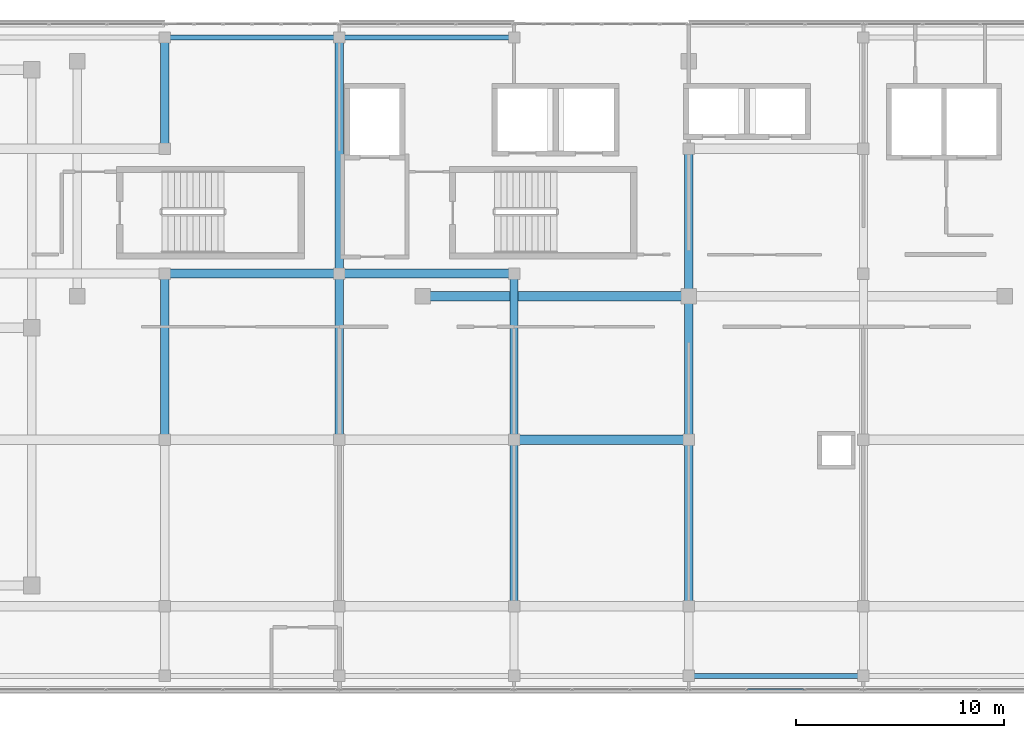
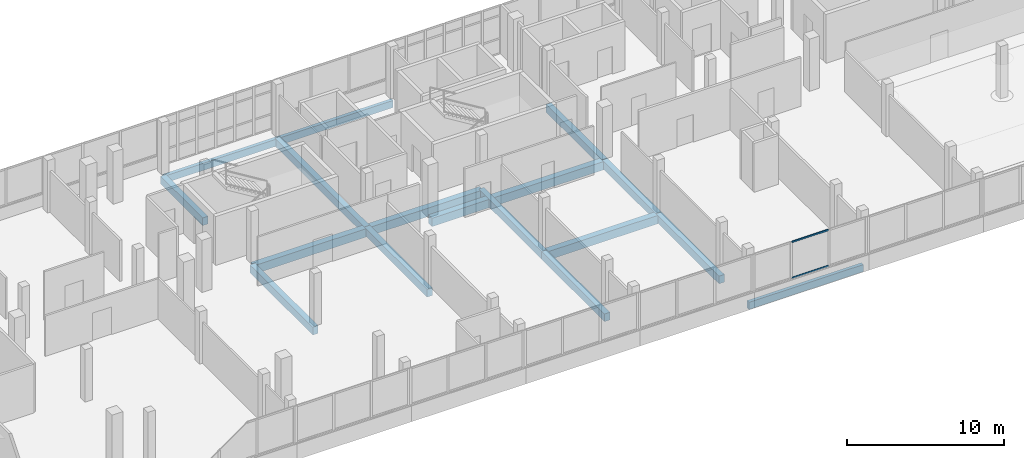
# One storey, part 26 of 66: 16 beams, 2 members, 1 element without a shape of its own.
"""IFC4 building model written with IfcOpenShell, lengths in metres."""

import ifcopenshell
import ifcopenshell.guid

model = None  # the IFC model being written
_history = None  # IfcOwnerHistory: only IFC2X3 demands one
_inside = {}  # id of a spatial element -> (the spatial element, [elements in it])
_under = {}  # id of a project, library or spatial element -> (it, [spatial elements below it])
_declared = {}  # id of a project -> (the project, [libraries it declares])
_typed = {}  # id of a type object -> (the type object, [elements of that type])
_made_of = {}  # id of a material, layer set ... -> (it, [elements and type objects made of it])


def new_model(schema):
    """Start an empty IFC model of exactly this schema.

    Asked for "IFC4X3", IfcOpenShell would pick the latest addendum, in which some entities
    have other attributes; the version numbers below select the first issue.
    IFC2X3 requires an IfcOwnerHistory on every rooted entity: one is made here for all.
    """
    global model, _history
    if schema == "IFC4X3":
        model = ifcopenshell.file(schema_version=(4, 3, 0, 0))
    else:
        model = ifcopenshell.file(schema=schema)
    _inside.clear()
    _under.clear()
    _declared.clear()
    _typed.clear()
    _made_of.clear()
    _history = None
    if model.schema == "IFC2X3":
        org = make("IfcOrganization", Name="unknown")
        user = make(
            "IfcPersonAndOrganization",
            ThePerson=make("IfcPerson", FamilyName="unknown"),
            TheOrganization=org,
        )
        app = make(
            "IfcApplication",
            ApplicationDeveloper=org,
            Version="unknown",
            ApplicationFullName="unknown",
            ApplicationIdentifier="unknown",
        )
        _history = make(
            "IfcOwnerHistory",
            OwningUser=user,
            OwningApplication=app,
            ChangeAction="ADDED",
            CreationDate=0,
        )
    return model


def make(cls, **values):
    """One entity of the class cls with the attributes given. An attribute that is None is left unset."""
    return model.create_entity(
        cls, **{name: value for name, value in values.items() if value is not None}
    )


def rooted(cls, **values):
    """An entity with a GlobalId (a new one), such as an element, a storey or a relation."""
    return make(cls, GlobalId=ifcopenshell.guid.new(), OwnerHistory=_history, **values)


def si_unit(unit_type, name, prefix=None):
    """IfcSIUnit, for example si_unit("LENGTHUNIT", "METRE", prefix="MILLI")."""
    return make("IfcSIUnit", UnitType=unit_type, Prefix=prefix, Name=name)


def assignment(units):
    """IfcUnitAssignment: the units of a project."""
    return None if units is None else make("IfcUnitAssignment", Units=units)


def point(xyz):
    """IfcCartesianPoint."""
    return None if xyz is None else make("IfcCartesianPoint", Coordinates=xyz)


def direction(xyz):
    """IfcDirection."""
    return None if xyz is None else make("IfcDirection", DirectionRatios=xyz)


def frame(location, z_axis=None, x_axis=None):
    """IfcAxis2Placement3D, a coordinate frame: its origin and axes. An axis left out is left unset."""
    return make(
        "IfcAxis2Placement3D",
        Location=point(location),
        Axis=direction(z_axis),
        RefDirection=direction(x_axis),
    )


def frame_2d(location, x_axis=None):
    """IfcAxis2Placement2D, a coordinate frame in the plane: its origin and x axis."""
    return make(
        "IfcAxis2Placement2D", Location=point(location), RefDirection=direction(x_axis)
    )


def origin():
    """The frame at (0, 0, 0) with its axes left unset."""
    return frame((0.0, 0.0, 0.0))


def origin_2d():
    """The frame at (0, 0) in the plane with its x axis left unset."""
    return frame_2d((0.0, 0.0))


def place(relative_to, where):
    """IfcLocalPlacement: puts the frame where relative to a parent placement (None: the world)."""
    return make(
        "IfcLocalPlacement", PlacementRelTo=relative_to, RelativePlacement=where
    )


def context(
    kind, dimensions, precision=None, world=None, true_north=None, identifier=None
):
    """IfcGeometricRepresentationContext, for example the 3D "Model" context."""
    return make(
        "IfcGeometricRepresentationContext",
        ContextIdentifier=identifier,
        ContextType=kind,
        CoordinateSpaceDimension=dimensions,
        Precision=precision,
        WorldCoordinateSystem=world,
        TrueNorth=true_north,
    )


def subcontext(parent, identifier, kind, view, scale=None):
    """IfcGeometricRepresentationSubContext, for example "Body" below "Model"."""
    return make(
        "IfcGeometricRepresentationSubContext",
        ContextIdentifier=identifier,
        ContextType=kind,
        ParentContext=parent,
        TargetScale=scale,
        TargetView=view,
    )


def project(units=None, contexts=None):
    """IfcProject with its units and contexts."""
    return rooted(
        "IfcProject",
        Name="project",
        RepresentationContexts=contexts,
        UnitsInContext=assignment(units),
    )


def spatial(cls, under=None, at=None, **own):
    """A site, building, storey or space (cls), placed at a placement, below another one or the project."""
    s = rooted(cls, ObjectPlacement=at, **own)
    if under is not None:
        _under.setdefault(under.id(), (under, []))[1].append(s)
    return s


def profile(cls, at=None, kind="AREA", **sizes):
    """A parametric profile (cls). Its sizes go by their IFC names, for example OverallWidth=200.0."""
    return make(cls, ProfileType=kind, Position=at, **sizes)


def rectangle(**sizes):
    """IfcRectangleProfileDef."""
    return profile("IfcRectangleProfileDef", **sizes)


def hollow_rectangle(**sizes):
    """IfcRectangleHollowProfileDef."""
    return profile("IfcRectangleHollowProfileDef", **sizes)


def extrude(swept, where, along, depth):
    """IfcExtrudedAreaSolid: the profile swept, set in the frame where, extruded along a direction by depth."""
    return make(
        "IfcExtrudedAreaSolid",
        SweptArea=swept,
        Position=where,
        ExtrudedDirection=direction(along),
        Depth=depth,
    )


def shape(context_of_items, identifier, shape_type, items):
    """IfcShapeRepresentation: the items that make up one representation, for example the "Body"."""
    return make(
        "IfcShapeRepresentation",
        ContextOfItems=context_of_items,
        RepresentationIdentifier=identifier,
        RepresentationType=shape_type,
        Items=items,
    )


def material(Name=None, Category=None):
    """IfcMaterial."""
    return make("IfcMaterial", Name=Name, Category=Category)


def material_profile(
    of_material, cross_section, Name=None, Category=None, Priority=None
):
    """IfcMaterialProfile: a cross section and its material."""
    return make(
        "IfcMaterialProfile",
        Name=Name,
        Material=of_material,
        Profile=cross_section,
        Priority=Priority,
        Category=Category,
    )


def profile_set(profiles, Name=None, composite=None):
    """IfcMaterialProfileSet."""
    return make(
        "IfcMaterialProfileSet",
        Name=Name,
        MaterialProfiles=profiles,
        CompositeProfile=composite,
    )


def made_of(thing, what):
    """Note that an element or type object is made of a material, layer set ...; save() writes the relation."""
    if what is not None:
        _made_of.setdefault(what.id(), (what, []))[1].append(thing)
    return thing


def type_object(cls, material=None, **own):
    """A type object (cls), such as IfcWallType, which elements share."""
    return made_of(rooted(cls, **own), material)


def element(
    cls,
    number,
    at=None,
    inside=None,
    cuts=None,
    type_object=None,
    material=None,
    context=None,
    identifier="Body",
    shape_type=None,
    held_by="IfcProductDefinitionShape",
    body=None,
    shapes=None,
    **own,
):
    """One element of the class cls, such as IfcWall. Its Tag is "e" and its number.

    at: its placement. inside: the storey or other place that contains it. cuts: it is an
    opening in that element (IfcRelVoidsElement). A single representation is given by context,
    identifier, shape_type and body (its items); several are given by shapes. held_by: the class
    of the entity that holds the representations. save() writes the other relations.
    """
    e = rooted(cls, Tag="e%d" % number, ObjectPlacement=at, **own)
    if body is not None:
        shapes = [shape(context, identifier, shape_type, body)]
    if shapes is not None:
        e.Representation = make(held_by, Representations=shapes)
    if inside is not None:
        _inside.setdefault(inside.id(), (inside, []))[1].append(e)
    if cuts is not None:
        rooted(
            "IfcRelVoidsElement", RelatingBuildingElement=cuts, RelatedOpeningElement=e
        )
    if type_object is not None:
        _typed.setdefault(type_object.id(), (type_object, []))[1].append(e)
    return made_of(e, material)


def aggregate(whole, parts):
    """IfcRelAggregates: a whole, such as a stair, and the parts it consists of."""
    return rooted("IfcRelAggregates", RelatingObject=whole, RelatedObjects=parts)


def save(model, path):
    """Write the relations noted so far, then the file.

    IfcRelAggregates (storeys below a building ...), IfcRelContainedInSpatialStructure (elements
    in a storey), IfcRelDefinesByType, IfcRelAssociatesMaterial and IfcRelDeclares: one each for
    every whole, place, type object, material and project.
    """
    for whole, parts in _under.values():
        aggregate(whole, parts)
    for where, things in _inside.values():
        rooted(
            "IfcRelContainedInSpatialStructure",
            RelatedElements=things,
            RelatingStructure=where,
        )
    for kind, things in _typed.values():
        rooted("IfcRelDefinesByType", RelatedObjects=things, RelatingType=kind)
    for what, things in _made_of.values():
        rooted("IfcRelAssociatesMaterial", RelatedObjects=things, RelatingMaterial=what)
    for by, libraries in _declared.values():
        rooted("IfcRelDeclares", RelatingContext=by, RelatedDefinitions=libraries)
    model.write(path)


model = new_model("IFC4")

# Units and contexts
model_context = context("Model", 3, precision=1e-05, world=origin(), true_north=direction((0.0, 1.0)))
body_context = subcontext(model_context, "Body", "Model", "MODEL_VIEW")
ifc_project = project(units=[si_unit("LENGTHUNIT", "METRE"), si_unit("AREAUNIT", "SQUARE_METRE"), si_unit("VOLUMEUNIT", "CUBIC_METRE"), si_unit("PLANEANGLEUNIT", "RADIAN"), si_unit("MASSUNIT", "GRAM", prefix="KILO")], contexts=[model_context])

# Site, building, storey
site_placement = place(None, origin())
site = spatial("IfcSite", under=ifc_project, at=site_placement, CompositionType="ELEMENT")
building_placement = place(site_placement, origin())
building = spatial("IfcBuilding", under=site, at=building_placement, Name="Selatvlak General Hospital", CompositionType="ELEMENT")
storey_placement = place(building_placement, frame((0.0, 0.0, 31.35009765625)))
storey = spatial("IfcBuildingStorey", under=building, at=storey_placement, Name="L07", CompositionType="ELEMENT", Elevation=31.35009765625)

# Beams
ifc_material_1 = material(Name="Concrete C40/50", Category="concrete")
ifc_material_profile_1 = material_profile(ifc_material_1, rectangle(XDim=0.449951171875, YDim=0.64990234375, at=origin_2d()), Name="RC-BM 450x650")
ifc_profile_set_1 = profile_set([ifc_material_profile_1], Name="Concrete C40/50")
beam_type_1 = type_object("IfcBeamType", Name="BM-G04", PredefinedType="BEAM", material=ifc_profile_set_1)
beam_1_placement = place(storey_placement, frame((106.800048828125, 100.0, -0.59521484375), z_axis=(1.0, 0.0, 0.0), x_axis=(0.0, 1.0, 0.0)))
element("IfcBeam", 1, at=beam_1_placement, inside=storey, type_object=beam_type_1, Name="Beam BMR-L07-2412", PredefinedType="BEAM", context=body_context, shape_type="SweptSolid", body=[
    extrude(rectangle(XDim=0.449951171875, YDim=0.64990234375, at=origin_2d()), origin(), (0.0, 0.0, 1.0), 8.39990234375),
])
beam_2_placement = place(storey_placement, frame((102.39990234375, 106.89990234375, -0.59521484375), z_axis=(1.0, 0.0, 0.0), x_axis=(0.0, 1.0, 0.0)))
element("IfcBeam", 2, at=beam_2_placement, inside=storey, type_object=beam_type_1, Name="Beam BMR-L07-2423", PredefinedType="BEAM", context=body_context, shape_type="SweptSolid", body=[
    extrude(rectangle(XDim=0.449951171875, YDim=0.64990234375, at=origin_2d()), origin(), (0.0, 0.0, 1.0), 12.800048828125),
])
beam_3_placement = place(storey_placement, frame((90.0, 108.0, -0.59521484375), z_axis=(1.0, 0.0, 0.0), x_axis=(0.0, 1.0, 0.0)))
element("IfcBeam", 3, at=beam_3_placement, inside=storey, type_object=beam_type_1, Name="Beam BMR-L07-2430", PredefinedType="BEAM", context=body_context, shape_type="SweptSolid", body=[
    extrude(rectangle(XDim=0.449951171875, YDim=0.64990234375, at=origin_2d()), origin(), (0.0, 0.0, 1.0), 8.39990234375),
])
beam_4_placement = place(storey_placement, frame((98.39990234375, 108.0, -0.59521484375), z_axis=(1.0, 0.0, 0.0), x_axis=(0.0, 1.0, 0.0)))
element("IfcBeam", 4, at=beam_4_placement, inside=storey, type_object=beam_type_1, Name="Beam BMR-L07-2431", PredefinedType="BEAM", context=body_context, shape_type="SweptSolid", body=[
    extrude(rectangle(XDim=0.449951171875, YDim=0.64990234375, at=origin_2d()), origin(), (0.0, 0.0, 1.0), 8.400146484375),
])
ifc_material_profile_2 = material_profile(ifc_material_1, rectangle(XDim=0.39990234375, YDim=0.60009765625, at=origin_2d()), Name="RC-BM 400x600")
ifc_profile_set_2 = profile_set([ifc_material_profile_2], Name="Concrete C40/50")
beam_type_2 = type_object("IfcBeamType", Name="BM-G05", PredefinedType="BEAM", material=ifc_profile_set_2)
beam_5_placement = place(storey_placement, frame((90.0, 100.0, -0.570068359375), z_axis=(0.0, 1.0, 0.0), x_axis=(-1.0, 0.0, 0.0)))
element("IfcBeam", 5, at=beam_5_placement, inside=storey, type_object=beam_type_2, Name="Beam BMR-L07-2501", PredefinedType="BEAM", context=body_context, shape_type="SweptSolid", body=[
    extrude(rectangle(XDim=0.39990234375, YDim=0.60009765625, at=origin_2d()), origin(), (0.0, 0.0, 1.0), 8.0),
])
beam_6_placement = place(storey_placement, frame((90.0, 114.0, -0.570068359375), z_axis=(0.0, 1.0, 0.0), x_axis=(-1.0, 0.0, 0.0)))
element("IfcBeam", 6, at=beam_6_placement, inside=storey, type_object=beam_type_2, Name="Beam BMR-L07-2502", PredefinedType="BEAM", context=body_context, shape_type="SweptSolid", body=[
    extrude(rectangle(XDim=0.39990234375, YDim=0.60009765625, at=origin_2d()), origin(), (0.0, 0.0, 1.0), 5.35009765625),
])
beam_7_placement = place(storey_placement, frame((98.39990234375, 100.0, -0.570068359375), z_axis=(0.0, 1.0, 0.0), x_axis=(-1.0, 0.0, 0.0)))
element("IfcBeam", 7, at=beam_7_placement, inside=storey, type_object=beam_type_2, Name="Beam BMR-L07-2505", PredefinedType="BEAM", context=body_context, shape_type="SweptSolid", body=[
    extrude(rectangle(XDim=0.39990234375, YDim=0.60009765625, at=origin_2d()), origin(), (0.0, 0.0, 1.0), 8.0),
])
beam_8_placement = place(storey_placement, frame((98.39990234375, 108.0, -0.570068359375), z_axis=(0.0, 1.0, 0.0), x_axis=(-1.0, 0.0, 0.0)))
element("IfcBeam", 8, at=beam_8_placement, inside=storey, type_object=beam_type_2, Name="Beam BMR-L07-2506", PredefinedType="BEAM", context=body_context, shape_type="SweptSolid", body=[
    extrude(rectangle(XDim=0.39990234375, YDim=0.60009765625, at=origin_2d()), origin(), (0.0, 0.0, 1.0), 11.35009765625),
])
for number, where, z_axis, x_axis, name in (
    (9, (106.800048828125, 92.0, -0.570068359375), (0.0, 1.0, 0.0), (-1.0, 0.0, 0.0), "Beam BMR-L07-2508"),
    (10, (106.800048828125, 100.0, -0.570068359375), (0.0, 1.0, 0.0), (-1.0, 0.0, 0.0), "Beam BMR-L07-2509"),
    (11, (115.199951171875, 92.0, -0.570068359375), (0.0, 1.0, 0.0), (-1.0, 0.0, 0.0), "Beam BMR-L07-2511"),
):
    element("IfcBeam", number, at=place(storey_placement, frame(where, z_axis=z_axis, x_axis=x_axis)), inside=storey, type_object=beam_type_2, Name=name, PredefinedType="BEAM", context=body_context, shape_type="SweptSolid", body=[
        extrude(rectangle(XDim=0.39990234375, YDim=0.60009765625, at=origin_2d()), origin(), (0.0, 0.0, 1.0), 8.0),
    ])
beam_9_placement = place(storey_placement, frame((115.199951171875, 100.0, -0.570068359375), z_axis=(0.0, 1.0, 0.0), x_axis=(-1.0, 0.0, 0.0)))
element("IfcBeam", 12, at=beam_9_placement, inside=storey, type_object=beam_type_2, Name="Beam BMR-L07-2512", PredefinedType="BEAM", context=body_context, shape_type="SweptSolid", body=[
    extrude(rectangle(XDim=0.39990234375, YDim=0.60009765625, at=origin_2d()), origin(), (0.0, 0.0, 1.0), 6.89990234375),
])
beam_10_placement = place(storey_placement, frame((115.199951171875, 106.89990234375, -0.570068359375), z_axis=(0.0, 1.0, 0.0), x_axis=(-1.0, 0.0, 0.0)))
element("IfcBeam", 13, at=beam_10_placement, inside=storey, type_object=beam_type_2, Name="Beam BMR-L07-2513", PredefinedType="BEAM", context=body_context, shape_type="SweptSolid", body=[
    extrude(rectangle(XDim=0.39990234375, YDim=0.60009765625, at=origin_2d()), origin(), (0.0, 0.0, 1.0), 7.10009765625),
])
ifc_material_profile_3 = material_profile(ifc_material_1, rectangle(XDim=0.25, YDim=0.550048828125, at=origin_2d()), Name="RC-SP 250x550")
ifc_profile_set_3 = profile_set([ifc_material_profile_3], Name="Concrete C40/50")
beam_type_3 = type_object("IfcBeamType", Name="BM-SP2", PredefinedType="SPANDREL", material=ifc_profile_set_3)
beam_11_placement = place(storey_placement, frame((115.199951171875, 88.64990234375, -0.545166015625), z_axis=(1.0, 0.0, 0.0), x_axis=(0.0, 1.0, 0.0)))
element("IfcBeam", 14, at=beam_11_placement, inside=storey, type_object=beam_type_3, Name="Beam BMR-L07-2373", PredefinedType="SPANDREL", context=body_context, shape_type="SweptSolid", body=[
    extrude(rectangle(XDim=0.25, YDim=0.550048828125, at=origin_2d()), origin(), (0.0, 0.0, 1.0), 8.400146484375),
])
beam_12_placement = place(storey_placement, frame((90.0, 119.35009765625, -0.545166015625), z_axis=(1.0, 0.0, 0.0), x_axis=(0.0, 1.0, 0.0)))
element("IfcBeam", 15, at=beam_12_placement, inside=storey, type_object=beam_type_3, Name="Beam BMR-L07-2455", PredefinedType="SPANDREL", context=body_context, shape_type="SweptSolid", body=[
    extrude(rectangle(XDim=0.25, YDim=0.550048828125, at=origin_2d()), origin(), (0.0, 0.0, 1.0), 8.39990234375),
])
beam_13_placement = place(storey_placement, frame((98.39990234375, 119.35009765625, -0.545166015625), z_axis=(1.0, 0.0, 0.0), x_axis=(0.0, 1.0, 0.0)))
element("IfcBeam", 16, at=beam_13_placement, inside=storey, type_object=beam_type_3, Name="Beam BMR-L07-2456", PredefinedType="SPANDREL", context=body_context, shape_type="SweptSolid", body=[
    extrude(rectangle(XDim=0.25, YDim=0.550048828125, at=origin_2d()), origin(), (0.0, 0.0, 1.0), 8.400146484375),
])

# Curtain wall, members
ifc_material_2 = material(Name="Solar-control Low-E double glazing", Category="glass")
curtain_wall_type = type_object("IfcCurtainWallType", Name="CW-CW-02", PredefinedType="USERDEFINED", material=ifc_material_2)
curtain_wall_placement = place(storey_placement, origin())
curtain_wall = element("IfcCurtainWall", 17, at=curtain_wall_placement, inside=storey, type_object=curtain_wall_type, Name="Glazed facade curtain wall CW-L07-0668", ObjectType="UNITISED CURTAIN WALL", PredefinedType="USERDEFINED")
ifc_material_3 = material(Name="Dark anodised aluminium mullion", Category="aluminium")
ifc_material_profile_4 = material_profile(ifc_material_3, hollow_rectangle(XDim=0.06494140625, YDim=0.1201171875, WallThickness=0.00390625, at=origin_2d()), Name="AL-TRN 65x120x4")
ifc_profile_set_4 = profile_set([ifc_material_profile_4], Name="Dark anodised aluminium mullion")
member_type = type_object("IfcMemberType", Name="CWT-01", PredefinedType="USERDEFINED", material=ifc_profile_set_4)
member_1_placement = place(storey_placement, frame((120.729248046875, 88.0009765625, 0.972412109375), z_axis=(-1.0, 0.0, 0.0), x_axis=(0.0, -1.0, 0.0)))
member_1 = element("IfcMember", 18, at=member_1_placement, type_object=member_type, Name="CW-02 transom 2.1", ObjectType="TRANSOM", PredefinedType="USERDEFINED", context=body_context, shape_type="SweptSolid", body=[
    extrude(hollow_rectangle(XDim=0.06494140625, YDim=0.1201171875, WallThickness=0.00390625, at=origin_2d()), origin(), (0.0, 0.0, 1.0), 2.70849609375),
])
member_2_placement = place(storey_placement, frame((120.729248046875, 88.0009765625, 3.75244140625), z_axis=(-1.0, 0.0, 0.0), x_axis=(0.0, -1.0, 0.0)))
member_2 = element("IfcMember", 19, at=member_2_placement, type_object=member_type, Name="CW-02 transom 2.2", ObjectType="TRANSOM", PredefinedType="USERDEFINED", context=body_context, shape_type="SweptSolid", body=[
    extrude(hollow_rectangle(XDim=0.06494140625, YDim=0.1201171875, WallThickness=0.00390625, at=origin_2d()), origin(), (0.0, 0.0, 1.0), 2.70849609375),
])
aggregate(curtain_wall, [member_1, member_2])

save(model, "model.ifc")
